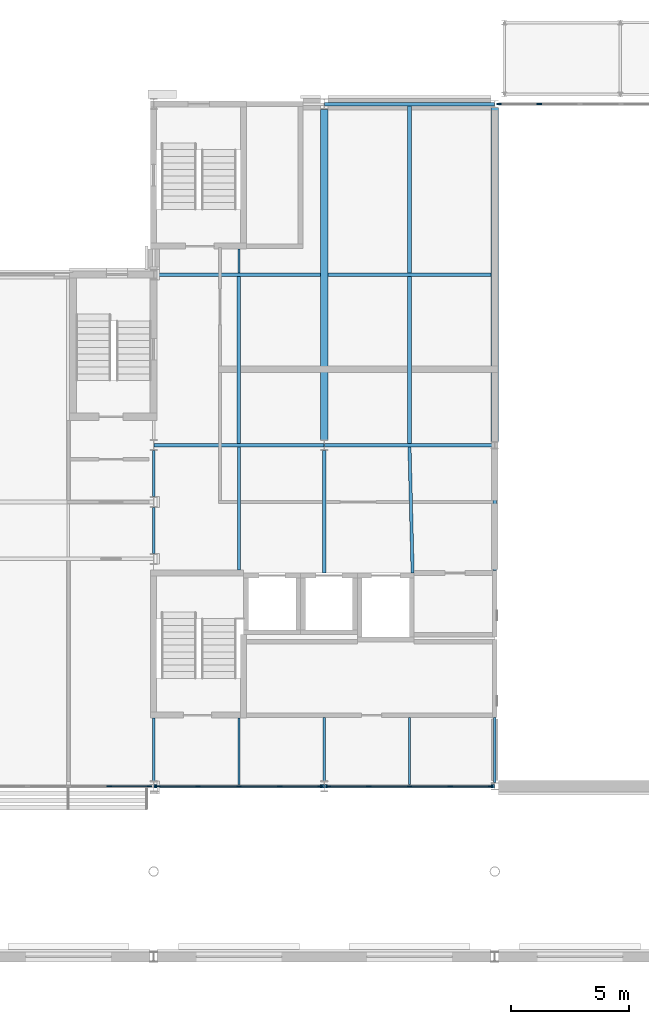
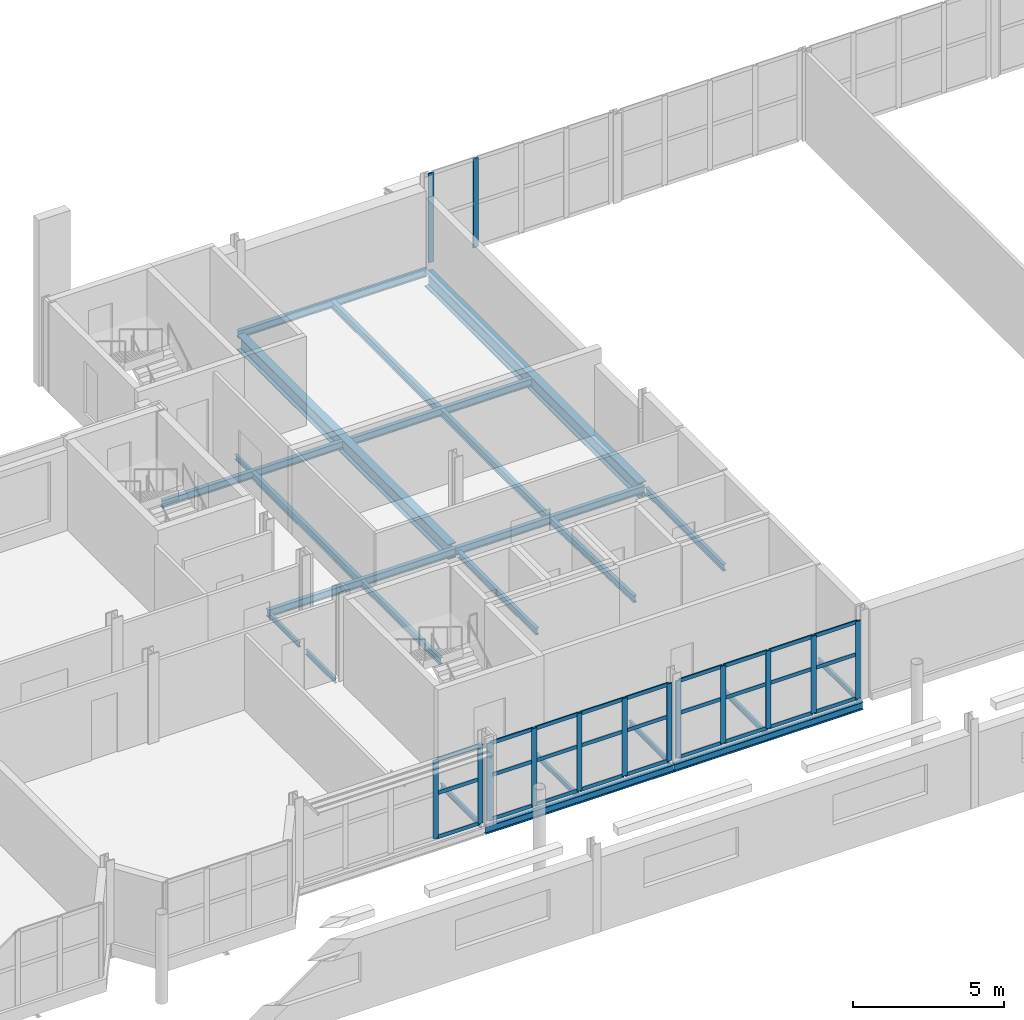
# One storey, part 49 of 124: 41 members, 24 beams, 4 elements without a shape of their own.
"""IFC4 building model written with IfcOpenShell, lengths in metres."""

from ifc_helpers import new_model, si_unit, direction, frame, origin, origin_2d, place, context, subcontext, project, spatial, rectangle, i_section, extrude, material, material_profile, profile_set, type_object, element, aggregate, save


model = new_model("IFC4")

# Units and contexts
model_context = context("Model", 3, precision=1e-05, world=origin(), true_north=direction((0.0, 1.0)))
body_context = subcontext(model_context, "Body", "Model", "MODEL_VIEW")
ifc_project = project(units=[si_unit("LENGTHUNIT", "METRE"), si_unit("AREAUNIT", "SQUARE_METRE"), si_unit("VOLUMEUNIT", "CUBIC_METRE"), si_unit("PLANEANGLEUNIT", "RADIAN"), si_unit("MASSUNIT", "GRAM", prefix="KILO")], contexts=[model_context])

# Site, building, storey
site_placement = place(None, origin())
site = spatial("IfcSite", under=ifc_project, at=site_placement, CompositionType="ELEMENT")
building_placement = place(site_placement, origin())
building = spatial("IfcBuilding", under=site, at=building_placement, Name="Kupolbacken Congress Centre", CompositionType="ELEMENT")
storey_placement = place(building_placement, frame((0.0, 0.0, 10.800048828125)))
storey = spatial("IfcBuildingStorey", under=building, at=storey_placement, Name="L03", CompositionType="ELEMENT", Elevation=10.800048828125)

# Beams
ifc_material_1 = material(Name="Steel S355", Category="steel")
ifc_material_profile_1 = material_profile(ifc_material_1, i_section(OverallWidth=0.10009765625, OverallDepth=0.199951171875, WebThickness=0.005615234375, FlangeThickness=0.008544921875, FilletRadius=0.011962890625, at=origin_2d()), Name="IPE 200")
ifc_profile_set_1 = profile_set([ifc_material_profile_1], Name="Steel S355")
beam_type_1 = type_object("IfcBeamType", Name="B01 beam IPE 200", PredefinedType="BEAM", material=ifc_profile_set_1)
beam_1_placement = place(storey_placement, frame((136.800048828125, 122.625, -0.280029296875), z_axis=(0.0, 1.0, 0.0), x_axis=(-1.0, 0.0, 0.0)))
element("IfcBeam", 1, at=beam_1_placement, inside=storey, type_object=beam_type_1, Name="S/floor/T/L03/S076", PredefinedType="BEAM", context=body_context, shape_type="SweptSolid", body=[
    extrude(i_section(OverallWidth=0.10009765625, OverallDepth=0.199951171875, WebThickness=0.005615234375, FlangeThickness=0.008544921875, FilletRadius=0.011962890625, at=origin_2d()), origin(), (0.0, 0.0, 1.0), 2.64990234375),
])
for number, where, z_axis, x_axis, name in (
    (2, (136.800048828125, 132.22509765625, -0.280029296875), (0.0, 1.0, 0.0), (-1.0, 0.0, 0.0), "S/floor/T/L03/S077"),
    (3, (136.800048828125, 134.625, -0.280029296875), (0.0, 1.0, 0.0), (-1.0, 0.0, 0.0), "S/floor/T/L03/S078"),
):
    element("IfcBeam", number, at=place(storey_placement, frame(where, z_axis=z_axis, x_axis=x_axis)), inside=storey, type_object=beam_type_1, Name=name, PredefinedType="BEAM", context=body_context, shape_type="SweptSolid", body=[
        extrude(i_section(OverallWidth=0.10009765625, OverallDepth=0.199951171875, WebThickness=0.005615234375, FlangeThickness=0.008544921875, FilletRadius=0.011962890625, at=origin_2d()), origin(), (0.0, 0.0, 1.0), 1.949951171875),
    ])
beam_2_placement = place(storey_placement, frame((144.0, 122.625, -0.280029296875), z_axis=(0.0, 1.0, 0.0), x_axis=(-1.0, 0.0, 0.0)))
element("IfcBeam", 4, at=beam_2_placement, inside=storey, type_object=beam_type_1, Name="S/floor/BF/L03/G002", PredefinedType="BEAM", context=body_context, shape_type="SweptSolid", body=[
    extrude(i_section(OverallWidth=0.10009765625, OverallDepth=0.199951171875, WebThickness=0.005615234375, FlangeThickness=0.008544921875, FilletRadius=0.011962890625, at=origin_2d()), origin(), (0.0, 0.0, 1.0), 2.675048828125),
])
beam_3_placement = place(storey_placement, frame((151.199951171875, 122.550048828125, -0.280029296875), z_axis=(0.0, 1.0, 0.0), x_axis=(-1.0, 0.0, 0.0)))
element("IfcBeam", 5, at=beam_3_placement, inside=storey, type_object=beam_type_1, Name="S/floor/BF/L03/G005", PredefinedType="BEAM", context=body_context, shape_type="SweptSolid", body=[
    extrude(i_section(OverallWidth=0.10009765625, OverallDepth=0.199951171875, WebThickness=0.005615234375, FlangeThickness=0.008544921875, FilletRadius=0.011962890625, at=origin_2d()), origin(), (0.0, 0.0, 1.0), 2.75),
])
beam_4_placement = place(storey_placement, frame((140.39990234375, 122.47509765625, -0.280029296875), z_axis=(0.0, 1.0, 0.0), x_axis=(-1.0, 0.0, 0.0)))
element("IfcBeam", 6, at=beam_4_placement, inside=storey, type_object=beam_type_1, Name="S/floor/BF/L03/S016", PredefinedType="BEAM", context=body_context, shape_type="SweptSolid", body=[
    extrude(i_section(OverallWidth=0.10009765625, OverallDepth=0.199951171875, WebThickness=0.005615234375, FlangeThickness=0.008544921875, FilletRadius=0.011962890625, at=origin_2d()), origin(), (0.0, 0.0, 1.0), 2.7998046875),
])
beam_5_placement = place(storey_placement, frame((140.39990234375, 144.074951171875, -0.280029296875), z_axis=(0.0, 1.0, 0.0), x_axis=(-1.0, 0.0, 0.0)))
element("IfcBeam", 7, at=beam_5_placement, inside=storey, type_object=beam_type_1, Name="S/floor/BF/L03/S019", PredefinedType="BEAM", context=body_context, shape_type="SweptSolid", body=[
    extrude(i_section(OverallWidth=0.10009765625, OverallDepth=0.199951171875, WebThickness=0.005615234375, FlangeThickness=0.008544921875, FilletRadius=0.011962890625, at=origin_2d()), origin(), (0.0, 0.0, 1.0), 1.0),
])
beam_6_placement = place(storey_placement, frame((147.60009765625, 122.47509765625, -0.280029296875), z_axis=(0.0, 1.0, 0.0), x_axis=(-1.0, 0.0, 0.0)))
element("IfcBeam", 8, at=beam_6_placement, inside=storey, type_object=beam_type_1, Name="S/floor/BF/L03/S020", PredefinedType="BEAM", context=body_context, shape_type="SweptSolid", body=[
    extrude(i_section(OverallWidth=0.10009765625, OverallDepth=0.199951171875, WebThickness=0.005615234375, FlangeThickness=0.008544921875, FilletRadius=0.011962890625, at=origin_2d()), origin(), (0.0, 0.0, 1.0), 2.824951171875),
])
ifc_material_2 = material(Name="Steel S355", Category="steel")
ifc_material_profile_2 = material_profile(ifc_material_2, i_section(OverallWidth=0.135009765625, OverallDepth=0.27001953125, WebThickness=0.006591796875, FlangeThickness=0.01025390625, FilletRadius=0.014892578125, at=origin_2d()), Name="IPE 270")
ifc_profile_set_2 = profile_set([ifc_material_profile_2], Name="Steel S355")
beam_type_2 = type_object("IfcBeamType", Name="B03 beam IPE 270", PredefinedType="BEAM", material=ifc_profile_set_2)
beam_7_placement = place(storey_placement, frame((144.0, 131.39990234375, -0.31494140625), z_axis=(0.0, 1.0, 0.0), x_axis=(-1.0, 0.0, 0.0)))
element("IfcBeam", 9, at=beam_7_placement, inside=storey, type_object=beam_type_2, Name="S/floor/BF/L03/G003", PredefinedType="BEAM", context=body_context, shape_type="SweptSolid", body=[
    extrude(i_section(OverallWidth=0.135009765625, OverallDepth=0.27001953125, WebThickness=0.006591796875, FlangeThickness=0.01025390625, FilletRadius=0.014892578125, at=origin_2d()), origin(), (0.0, 0.0, 1.0), 5.175048828125),
])
beam_8_placement = place(storey_placement, frame((151.199951171875, 131.5, -0.31494140625), z_axis=(0.0, 1.0, 0.0), x_axis=(-1.0, 0.0, 0.0)))
element("IfcBeam", 10, at=beam_8_placement, inside=storey, type_object=beam_type_2, Name="S/floor/BF/L03/G006", PredefinedType="BEAM", context=body_context, shape_type="SweptSolid", body=[
    extrude(i_section(OverallWidth=0.135009765625, OverallDepth=0.27001953125, WebThickness=0.006591796875, FlangeThickness=0.01025390625, FilletRadius=0.014892578125, at=origin_2d()), origin(), (0.0, 0.0, 1.0), 5.14990234375),
])
beam_9_placement = place(storey_placement, frame((140.39990234375, 131.52490234375, -0.31494140625), z_axis=(0.0, 1.0, 0.0), x_axis=(-1.0, 0.0, 0.0)))
element("IfcBeam", 11, at=beam_9_placement, inside=storey, type_object=beam_type_2, Name="S/floor/BF/L03/S017", PredefinedType="BEAM", context=body_context, shape_type="SweptSolid", body=[
    extrude(i_section(OverallWidth=0.135009765625, OverallDepth=0.27001953125, WebThickness=0.006591796875, FlangeThickness=0.01025390625, FilletRadius=0.014892578125, at=origin_2d()), origin(), (0.0, 0.0, 1.0), 5.2001953125),
])
beam_10_placement = place(storey_placement, frame((147.732666015625, 131.39990234375, -0.31494140625), z_axis=(-0.02488684298, 0.999690274558, 0.0), x_axis=(-0.999690274558, -0.02488684298, 0.0)))
element("IfcBeam", 12, at=beam_10_placement, inside=storey, type_object=beam_type_2, Name="S/floor/BF/L03/S021", PredefinedType="BEAM", context=body_context, shape_type="SweptSolid", body=[
    extrude(i_section(OverallWidth=0.135009765625, OverallDepth=0.27001953125, WebThickness=0.006591796875, FlangeThickness=0.01025390625, FilletRadius=0.014892578125, at=origin_2d()), origin(), (0.0, 0.0, 1.0), 5.326904296875),
])
ifc_material_3 = material(Name="Steel S355", Category="steel")
ifc_material_profile_3 = material_profile(ifc_material_3, i_section(OverallWidth=0.14990234375, OverallDepth=0.300048828125, WebThickness=0.007080078125, FlangeThickness=0.0107421875, FilletRadius=0.014892578125, at=origin_2d()), Name="IPE 300")
ifc_profile_set_3 = profile_set([ifc_material_profile_3], Name="Steel S355")
beam_type_3 = type_object("IfcBeamType", Name="B04 beam IPE 300", PredefinedType="BEAM", material=ifc_profile_set_3)
beam_11_placement = place(storey_placement, frame((136.806884765625, 122.39990234375, -0.330078125), z_axis=(1.0, 0.0, 0.0), x_axis=(0.0, 1.0, 0.0)))
element("IfcBeam", 13, at=beam_11_placement, inside=storey, type_object=beam_type_3, Name="S/floor/BF/L03/R008", PredefinedType="BEAM", context=body_context, shape_type="SweptSolid", body=[
    extrude(i_section(OverallWidth=0.14990234375, OverallDepth=0.300048828125, WebThickness=0.007080078125, FlangeThickness=0.0107421875, FilletRadius=0.014892578125, at=origin_2d()), origin(), (0.0, 0.0, 1.0), 7.18603515625),
])
beam_12_placement = place(storey_placement, frame((144.007080078125, 122.39990234375, -0.330078125), z_axis=(1.0, 0.0, 0.0), x_axis=(0.0, 1.0, 0.0)))
element("IfcBeam", 14, at=beam_12_placement, inside=storey, type_object=beam_type_3, Name="S/floor/BF/L03/R009", PredefinedType="BEAM", context=body_context, shape_type="SweptSolid", body=[
    extrude(i_section(OverallWidth=0.14990234375, OverallDepth=0.300048828125, WebThickness=0.007080078125, FlangeThickness=0.0107421875, FilletRadius=0.014892578125, at=origin_2d()), origin(), (0.0, 0.0, 1.0), 7.1875),
])
beam_13_placement = place(storey_placement, frame((136.806884765625, 136.800048828125, -0.330078125), z_axis=(1.0, 0.0, 0.0), x_axis=(0.0, 1.0, 0.0)))
element("IfcBeam", 15, at=beam_13_placement, inside=storey, type_object=beam_type_3, Name="S/floor/BF/L03/R010", PredefinedType="BEAM", context=body_context, shape_type="SweptSolid", body=[
    extrude(i_section(OverallWidth=0.14990234375, OverallDepth=0.300048828125, WebThickness=0.007080078125, FlangeThickness=0.0107421875, FilletRadius=0.014892578125, at=origin_2d()), origin(), (0.0, 0.0, 1.0), 7.18603515625),
])
beam_14_placement = place(storey_placement, frame((144.007080078125, 136.800048828125, -0.330078125), z_axis=(1.0, 0.0, 0.0), x_axis=(0.0, 1.0, 0.0)))
element("IfcBeam", 16, at=beam_14_placement, inside=storey, type_object=beam_type_3, Name="S/floor/BF/L03/R011", PredefinedType="BEAM", context=body_context, shape_type="SweptSolid", body=[
    extrude(i_section(OverallWidth=0.14990234375, OverallDepth=0.300048828125, WebThickness=0.007080078125, FlangeThickness=0.0107421875, FilletRadius=0.014892578125, at=origin_2d()), origin(), (0.0, 0.0, 1.0), 7.1875),
])
for number, where, z_axis, x_axis, name in (
    (17, (136.949951171875, 144.0, -0.330078125), (1.0, 0.0, 0.0), (0.0, 1.0, 0.0), "S/floor/BF/L03/R012"),
    (18, (144.14990234375, 144.0, -0.330078125), (1.0, 0.0, 0.0), (0.0, 1.0, 0.0), "S/floor/BF/L03/R013"),
):
    element("IfcBeam", number, at=place(storey_placement, frame(where, z_axis=z_axis, x_axis=x_axis)), inside=storey, type_object=beam_type_3, Name=name, PredefinedType="BEAM", context=body_context, shape_type="SweptSolid", body=[
        extrude(i_section(OverallWidth=0.14990234375, OverallDepth=0.300048828125, WebThickness=0.007080078125, FlangeThickness=0.0107421875, FilletRadius=0.014892578125, at=origin_2d()), origin(), (0.0, 0.0, 1.0), 6.900146484375),
    ])
beam_15_placement = place(storey_placement, frame((144.007080078125, 151.199951171875, -0.330078125), z_axis=(1.0, 0.0, 0.0), x_axis=(0.0, 1.0, 0.0)))
element("IfcBeam", 19, at=beam_15_placement, inside=storey, type_object=beam_type_3, Name="S/floor/BF/L03/R015", PredefinedType="BEAM", context=body_context, shape_type="SweptSolid", body=[
    extrude(i_section(OverallWidth=0.14990234375, OverallDepth=0.300048828125, WebThickness=0.007080078125, FlangeThickness=0.0107421875, FilletRadius=0.014892578125, at=origin_2d()), origin(), (0.0, 0.0, 1.0), 7.1875),
])
for number, where, z_axis, x_axis, name in (
    (20, (140.39990234375, 136.875, -0.330078125), (0.0, 1.0, 0.0), (-1.0, 0.0, 0.0), "S/floor/BF/L03/S018"),
    (21, (147.60009765625, 136.875, -0.330078125), (0.0, 1.0, 0.0), (-1.0, 0.0, 0.0), "S/floor/BF/L03/S022"),
    (22, (147.60009765625, 144.074951171875, -0.330078125), (0.0, 1.0, 0.0), (-1.0, 0.0, 0.0), "S/floor/BF/L03/S023"),
):
    element("IfcBeam", number, at=place(storey_placement, frame(where, z_axis=z_axis, x_axis=x_axis)), inside=storey, type_object=beam_type_3, Name=name, PredefinedType="BEAM", context=body_context, shape_type="SweptSolid", body=[
        extrude(i_section(OverallWidth=0.14990234375, OverallDepth=0.300048828125, WebThickness=0.007080078125, FlangeThickness=0.0107421875, FilletRadius=0.014892578125, at=origin_2d()), origin(), (0.0, 0.0, 1.0), 7.050048828125),
    ])
ifc_material_4 = material(Name="Steel S355", Category="steel")
ifc_material_profile_4 = material_profile(ifc_material_4, i_section(OverallWidth=0.300048828125, OverallDepth=0.60009765625, WebThickness=0.015380859375, FlangeThickness=0.030029296875, FilletRadius=0.027099609375, at=origin_2d()), Name="HEB 600")
ifc_profile_set_4 = profile_set([ifc_material_profile_4], Name="Steel S355")
beam_type_4 = type_object("IfcBeamType", Name="B15 beam HEB 600", PredefinedType="BEAM", material=ifc_profile_set_4)
beam_16_placement = place(storey_placement, frame((144.0, 137.02490234375, -0.47998046875), z_axis=(0.0, 1.0, 0.0), x_axis=(-1.0, 0.0, 0.0)))
element("IfcBeam", 23, at=beam_16_placement, inside=storey, type_object=beam_type_4, Name="S/floor/BF/L03/G004", PredefinedType="BEAM", context=body_context, shape_type="SweptSolid", body=[
    extrude(i_section(OverallWidth=0.300048828125, OverallDepth=0.60009765625, WebThickness=0.015380859375, FlangeThickness=0.030029296875, FilletRadius=0.027099609375, at=origin_2d()), origin(), (0.0, 0.0, 1.0), 13.9501953125),
])
beam_17_placement = place(storey_placement, frame((151.199951171875, 136.949951171875, -0.47998046875), z_axis=(0.0, 1.0, 0.0), x_axis=(-1.0, 0.0, 0.0)))
element("IfcBeam", 24, at=beam_17_placement, inside=storey, type_object=beam_type_4, Name="S/floor/BF/L03/G007", PredefinedType="BEAM", context=body_context, shape_type="SweptSolid", body=[
    extrude(i_section(OverallWidth=0.300048828125, OverallDepth=0.60009765625, WebThickness=0.015380859375, FlangeThickness=0.030029296875, FilletRadius=0.027099609375, at=origin_2d()), origin(), (0.0, 0.0, 1.0), 14.10009765625),
])

# Curtain wall, members
ifc_material_5 = material(Name="Aluminium mullion-transom frame with glass", Category="aluminium")
curtain_wall_type = type_object("IfcCurtainWallType", Name="CW1 curtain wall 7200x3600", PredefinedType="NOTDEFINED", material=ifc_material_5)
curtain_wall_1_placement = place(storey_placement, origin())
curtain_wall_1 = element("IfcCurtainWall", 25, at=curtain_wall_1_placement, inside=storey, type_object=curtain_wall_type, Name="E/B/N/L03/307", PredefinedType="NOTDEFINED")
ifc_material_6 = material(Name="Aluminium alloy", Category="aluminium")
ifc_material_profile_5 = material_profile(ifc_material_6, rectangle(XDim=0.050048828125, YDim=0.199951171875, at=origin_2d()), Name="50 x 200")
ifc_profile_set_5 = profile_set([ifc_material_profile_5], Name="Aluminium alloy")
member_type_1 = type_object("IfcMemberType", Name="MU2 mullion 50x200", PredefinedType="MULLION", material=ifc_profile_set_5)
member_1_placement = place(storey_placement, frame((153.074951171875, 151.199951171875, 0.0), z_axis=(0.0, 0.0, 1.0), x_axis=(0.0, -1.0, 0.0)))
member_1 = element("IfcMember", 26, at=member_1_placement, type_object=member_type_1, Name="CW1 mullion 4", PredefinedType="MULLION", context=body_context, shape_type="SweptSolid", body=[
    extrude(rectangle(XDim=0.050048828125, YDim=0.199951171875, at=origin_2d()), origin(), (0.0, 0.0, 1.0), 3.599853515625),
])
member_2_placement = place(storey_placement, frame((151.375, 151.199951171875, 0.0), z_axis=(0.0, 0.0, 1.0), x_axis=(0.0, -1.0, 0.0)))
member_2 = element("IfcMember", 27, at=member_2_placement, type_object=member_type_1, Name="CW1 mullion 5", PredefinedType="MULLION", context=body_context, shape_type="SweptSolid", body=[
    extrude(rectangle(XDim=0.050048828125, YDim=0.199951171875, at=origin_2d()), origin(), (0.0, 0.0, 1.0), 3.599853515625),
])
aggregate(curtain_wall_1, [member_1, member_2])

curtain_wall_2_placement = place(storey_placement, origin())
curtain_wall_2 = element("IfcCurtainWall", 28, at=curtain_wall_2_placement, inside=storey, type_object=curtain_wall_type, Name="E/BF/S/L03/319", PredefinedType="NOTDEFINED")
member_3_placement = place(storey_placement, frame((136.97509765625, 122.39990234375, 0.0), z_axis=(0.0, 0.0, 1.0), x_axis=(0.0, 1.0, 0.0)))
member_3 = element("IfcMember", 29, at=member_3_placement, type_object=member_type_1, Name="CW1 mullion 1", PredefinedType="MULLION", context=body_context, shape_type="SweptSolid", body=[
    extrude(rectangle(XDim=0.050048828125, YDim=0.199951171875, at=origin_2d()), origin(), (0.0, 0.0, 1.0), 3.119873046875),
])
member_4_placement = place(storey_placement, frame((138.675048828125, 122.39990234375, 0.0), z_axis=(0.0, 0.0, 1.0), x_axis=(0.0, 1.0, 0.0)))
member_4 = element("IfcMember", 30, at=member_4_placement, type_object=member_type_1, Name="CW1 mullion 2", PredefinedType="MULLION", context=body_context, shape_type="SweptSolid", body=[
    extrude(rectangle(XDim=0.050048828125, YDim=0.199951171875, at=origin_2d()), origin(), (0.0, 0.0, 1.0), 3.119873046875),
])
member_5_placement = place(storey_placement, frame((140.39990234375, 122.39990234375, 0.0), z_axis=(0.0, 0.0, 1.0), x_axis=(0.0, 1.0, 0.0)))
member_5 = element("IfcMember", 31, at=member_5_placement, type_object=member_type_1, Name="CW1 mullion 3", PredefinedType="MULLION", context=body_context, shape_type="SweptSolid", body=[
    extrude(rectangle(XDim=0.050048828125, YDim=0.199951171875, at=origin_2d()), origin(), (0.0, 0.0, 1.0), 3.119873046875),
])
member_6_placement = place(storey_placement, frame((142.125, 122.39990234375, 0.0), z_axis=(0.0, 0.0, 1.0), x_axis=(0.0, 1.0, 0.0)))
member_6 = element("IfcMember", 32, at=member_6_placement, type_object=member_type_1, Name="CW1 mullion 4", PredefinedType="MULLION", context=body_context, shape_type="SweptSolid", body=[
    extrude(rectangle(XDim=0.050048828125, YDim=0.199951171875, at=origin_2d()), origin(), (0.0, 0.0, 1.0), 3.119873046875),
])
member_7_placement = place(storey_placement, frame((143.824951171875, 122.39990234375, 0.0), z_axis=(0.0, 0.0, 1.0), x_axis=(0.0, 1.0, 0.0)))
member_7 = element("IfcMember", 33, at=member_7_placement, type_object=member_type_1, Name="CW1 mullion 5", PredefinedType="MULLION", context=body_context, shape_type="SweptSolid", body=[
    extrude(rectangle(XDim=0.050048828125, YDim=0.199951171875, at=origin_2d()), origin(), (0.0, 0.0, 1.0), 3.119873046875),
])

curtain_wall_3_placement = place(storey_placement, origin())
curtain_wall_3 = element("IfcCurtainWall", 34, at=curtain_wall_3_placement, inside=storey, type_object=curtain_wall_type, Name="E/BF/S/L03/320", PredefinedType="NOTDEFINED")
member_8_placement = place(storey_placement, frame((144.175048828125, 122.39990234375, 0.0), z_axis=(0.0, 0.0, 1.0), x_axis=(0.0, 1.0, 0.0)))
member_8 = element("IfcMember", 35, at=member_8_placement, type_object=member_type_1, Name="CW1 mullion 1", PredefinedType="MULLION", context=body_context, shape_type="SweptSolid", body=[
    extrude(rectangle(XDim=0.050048828125, YDim=0.199951171875, at=origin_2d()), origin(), (0.0, 0.0, 1.0), 3.119873046875),
])
member_9_placement = place(storey_placement, frame((145.875, 122.39990234375, 0.0), z_axis=(0.0, 0.0, 1.0), x_axis=(0.0, 1.0, 0.0)))
member_9 = element("IfcMember", 36, at=member_9_placement, type_object=member_type_1, Name="CW1 mullion 2", PredefinedType="MULLION", context=body_context, shape_type="SweptSolid", body=[
    extrude(rectangle(XDim=0.050048828125, YDim=0.199951171875, at=origin_2d()), origin(), (0.0, 0.0, 1.0), 3.119873046875),
])
member_10_placement = place(storey_placement, frame((147.60009765625, 122.39990234375, 0.0), z_axis=(0.0, 0.0, 1.0), x_axis=(0.0, 1.0, 0.0)))
member_10 = element("IfcMember", 37, at=member_10_placement, type_object=member_type_1, Name="CW1 mullion 3", PredefinedType="MULLION", context=body_context, shape_type="SweptSolid", body=[
    extrude(rectangle(XDim=0.050048828125, YDim=0.199951171875, at=origin_2d()), origin(), (0.0, 0.0, 1.0), 3.119873046875),
])
member_11_placement = place(storey_placement, frame((149.324951171875, 122.39990234375, 0.0), z_axis=(0.0, 0.0, 1.0), x_axis=(0.0, 1.0, 0.0)))
member_11 = element("IfcMember", 38, at=member_11_placement, type_object=member_type_1, Name="CW1 mullion 4", PredefinedType="MULLION", context=body_context, shape_type="SweptSolid", body=[
    extrude(rectangle(XDim=0.050048828125, YDim=0.199951171875, at=origin_2d()), origin(), (0.0, 0.0, 1.0), 3.119873046875),
])
member_12_placement = place(storey_placement, frame((151.02490234375, 122.39990234375, 0.0), z_axis=(0.0, 0.0, 1.0), x_axis=(0.0, 1.0, 0.0)))
member_12 = element("IfcMember", 39, at=member_12_placement, type_object=member_type_1, Name="CW1 mullion 5", PredefinedType="MULLION", context=body_context, shape_type="SweptSolid", body=[
    extrude(rectangle(XDim=0.050048828125, YDim=0.199951171875, at=origin_2d()), origin(), (0.0, 0.0, 1.0), 3.119873046875),
])

curtain_wall_4_placement = place(storey_placement, origin())
curtain_wall_4 = element("IfcCurtainWall", 40, at=curtain_wall_4_placement, inside=storey, type_object=curtain_wall_type, Name="E/T/S/L03/043/g0", PredefinedType="NOTDEFINED")
member_13_placement = place(storey_placement, frame((134.92578125, 122.39990234375, 0.0), z_axis=(0.0, 0.0, 1.0), x_axis=(0.0, 1.0, 0.0)))
member_13 = element("IfcMember", 41, at=member_13_placement, type_object=member_type_1, Name="CW1 mullion 4", PredefinedType="MULLION", context=body_context, shape_type="SweptSolid", body=[
    extrude(rectangle(XDim=0.050048828125, YDim=0.199951171875, at=origin_2d()), origin(), (0.0, 0.0, 1.0), 3.159912109375),
])
member_14_placement = place(storey_placement, frame((136.625, 122.39990234375, 0.0), z_axis=(0.0, 0.0, 1.0), x_axis=(0.0, 1.0, 0.0)))
member_14 = element("IfcMember", 42, at=member_14_placement, type_object=member_type_1, Name="CW1 mullion 5", PredefinedType="MULLION", context=body_context, shape_type="SweptSolid", body=[
    extrude(rectangle(XDim=0.050048828125, YDim=0.199951171875, at=origin_2d()), origin(), (0.0, 0.0, 1.0), 3.159912109375),
])

# Member
ifc_material_7 = material(Name="Aluminium alloy", Category="aluminium")
ifc_material_profile_6 = material_profile(ifc_material_7, rectangle(XDim=0.050048828125, YDim=0.14990234375, at=origin_2d()), Name="50 x 150")
ifc_profile_set_6 = profile_set([ifc_material_profile_6], Name="Aluminium alloy")
member_type_2 = type_object("IfcMemberType", Name="TR2 transom 50x150", PredefinedType="MULLION", material=ifc_profile_set_6)
member_15_placement = place(storey_placement, frame((137.0, 122.39990234375, 0.02490234375), z_axis=(1.0, 0.0, 0.0), x_axis=(0.0, 1.0, 0.0)))
member_15 = element("IfcMember", 43, at=member_15_placement, type_object=member_type_2, Name="CW1 transom 1.1", PredefinedType="MULLION", context=body_context, shape_type="SweptSolid", body=[
    extrude(rectangle(XDim=0.050048828125, YDim=0.14990234375, at=origin_2d()), origin(), (0.0, 0.0, 1.0), 1.64990234375),
])

member_16_placement = place(storey_placement, frame((137.0, 122.39990234375, 1.800048828125), z_axis=(1.0, 0.0, 0.0), x_axis=(0.0, 1.0, 0.0)))
member_16 = element("IfcMember", 44, at=member_16_placement, type_object=member_type_2, Name="CW1 transom 1.2", PredefinedType="MULLION", context=body_context, shape_type="SweptSolid", body=[
    extrude(rectangle(XDim=0.050048828125, YDim=0.14990234375, at=origin_2d()), origin(), (0.0, 0.0, 1.0), 1.64990234375),
])

member_17_placement = place(storey_placement, frame((137.0, 122.39990234375, 3.094970703125), z_axis=(1.0, 0.0, 0.0), x_axis=(0.0, 1.0, 0.0)))
member_17 = element("IfcMember", 45, at=member_17_placement, type_object=member_type_2, Name="CW1 transom 1.3", PredefinedType="MULLION", context=body_context, shape_type="SweptSolid", body=[
    extrude(rectangle(XDim=0.050048828125, YDim=0.14990234375, at=origin_2d()), origin(), (0.0, 0.0, 1.0), 1.64990234375),
])

member_18_placement = place(storey_placement, frame((138.699951171875, 122.39990234375, 0.02490234375), z_axis=(1.0, 0.0, 0.0), x_axis=(0.0, 1.0, 0.0)))
member_18 = element("IfcMember", 46, at=member_18_placement, type_object=member_type_2, Name="CW1 transom 2.1", PredefinedType="MULLION", context=body_context, shape_type="SweptSolid", body=[
    extrude(rectangle(XDim=0.050048828125, YDim=0.14990234375, at=origin_2d()), origin(), (0.0, 0.0, 1.0), 1.675048828125),
])

member_19_placement = place(storey_placement, frame((138.699951171875, 122.39990234375, 1.800048828125), z_axis=(1.0, 0.0, 0.0), x_axis=(0.0, 1.0, 0.0)))
member_19 = element("IfcMember", 47, at=member_19_placement, type_object=member_type_2, Name="CW1 transom 2.2", PredefinedType="MULLION", context=body_context, shape_type="SweptSolid", body=[
    extrude(rectangle(XDim=0.050048828125, YDim=0.14990234375, at=origin_2d()), origin(), (0.0, 0.0, 1.0), 1.675048828125),
])

member_20_placement = place(storey_placement, frame((138.699951171875, 122.39990234375, 3.094970703125), z_axis=(1.0, 0.0, 0.0), x_axis=(0.0, 1.0, 0.0)))
member_20 = element("IfcMember", 48, at=member_20_placement, type_object=member_type_2, Name="CW1 transom 2.3", PredefinedType="MULLION", context=body_context, shape_type="SweptSolid", body=[
    extrude(rectangle(XDim=0.050048828125, YDim=0.14990234375, at=origin_2d()), origin(), (0.0, 0.0, 1.0), 1.675048828125),
])

member_21_placement = place(storey_placement, frame((140.425048828125, 122.39990234375, 0.02490234375), z_axis=(1.0, 0.0, 0.0), x_axis=(0.0, 1.0, 0.0)))
member_21 = element("IfcMember", 49, at=member_21_placement, type_object=member_type_2, Name="CW1 transom 3.1", PredefinedType="MULLION", context=body_context, shape_type="SweptSolid", body=[
    extrude(rectangle(XDim=0.050048828125, YDim=0.14990234375, at=origin_2d()), origin(), (0.0, 0.0, 1.0), 1.675048828125),
])

member_22_placement = place(storey_placement, frame((140.425048828125, 122.39990234375, 1.800048828125), z_axis=(1.0, 0.0, 0.0), x_axis=(0.0, 1.0, 0.0)))
member_22 = element("IfcMember", 50, at=member_22_placement, type_object=member_type_2, Name="CW1 transom 3.2", PredefinedType="MULLION", context=body_context, shape_type="SweptSolid", body=[
    extrude(rectangle(XDim=0.050048828125, YDim=0.14990234375, at=origin_2d()), origin(), (0.0, 0.0, 1.0), 1.675048828125),
])

member_23_placement = place(storey_placement, frame((140.425048828125, 122.39990234375, 3.094970703125), z_axis=(1.0, 0.0, 0.0), x_axis=(0.0, 1.0, 0.0)))
member_23 = element("IfcMember", 51, at=member_23_placement, type_object=member_type_2, Name="CW1 transom 3.3", PredefinedType="MULLION", context=body_context, shape_type="SweptSolid", body=[
    extrude(rectangle(XDim=0.050048828125, YDim=0.14990234375, at=origin_2d()), origin(), (0.0, 0.0, 1.0), 1.675048828125),
])

member_24_placement = place(storey_placement, frame((142.14990234375, 122.39990234375, 0.02490234375), z_axis=(1.0, 0.0, 0.0), x_axis=(0.0, 1.0, 0.0)))
member_24 = element("IfcMember", 52, at=member_24_placement, type_object=member_type_2, Name="CW1 transom 4.1", PredefinedType="MULLION", context=body_context, shape_type="SweptSolid", body=[
    extrude(rectangle(XDim=0.050048828125, YDim=0.14990234375, at=origin_2d()), origin(), (0.0, 0.0, 1.0), 1.650146484375),
])

member_25_placement = place(storey_placement, frame((142.14990234375, 122.39990234375, 1.800048828125), z_axis=(1.0, 0.0, 0.0), x_axis=(0.0, 1.0, 0.0)))
member_25 = element("IfcMember", 53, at=member_25_placement, type_object=member_type_2, Name="CW1 transom 4.2", PredefinedType="MULLION", context=body_context, shape_type="SweptSolid", body=[
    extrude(rectangle(XDim=0.050048828125, YDim=0.14990234375, at=origin_2d()), origin(), (0.0, 0.0, 1.0), 1.650146484375),
])

member_26_placement = place(storey_placement, frame((142.14990234375, 122.39990234375, 3.094970703125), z_axis=(1.0, 0.0, 0.0), x_axis=(0.0, 1.0, 0.0)))
member_26 = element("IfcMember", 54, at=member_26_placement, type_object=member_type_2, Name="CW1 transom 4.3", PredefinedType="MULLION", context=body_context, shape_type="SweptSolid", body=[
    extrude(rectangle(XDim=0.050048828125, YDim=0.14990234375, at=origin_2d()), origin(), (0.0, 0.0, 1.0), 1.650146484375),
])

aggregate(curtain_wall_2, [member_3, member_4, member_5, member_6, member_7, member_15, member_16, member_17, member_18, member_19, member_20, member_21, member_22, member_23, member_24, member_25, member_26])

member_27_placement = place(storey_placement, frame((144.199951171875, 122.39990234375, 0.02490234375), z_axis=(1.0, 0.0, 0.0), x_axis=(0.0, 1.0, 0.0)))
member_27 = element("IfcMember", 55, at=member_27_placement, type_object=member_type_2, Name="CW1 transom 1.1", PredefinedType="MULLION", context=body_context, shape_type="SweptSolid", body=[
    extrude(rectangle(XDim=0.050048828125, YDim=0.14990234375, at=origin_2d()), origin(), (0.0, 0.0, 1.0), 1.650146484375),
])

member_28_placement = place(storey_placement, frame((144.199951171875, 122.39990234375, 1.800048828125), z_axis=(1.0, 0.0, 0.0), x_axis=(0.0, 1.0, 0.0)))
member_28 = element("IfcMember", 56, at=member_28_placement, type_object=member_type_2, Name="CW1 transom 1.2", PredefinedType="MULLION", context=body_context, shape_type="SweptSolid", body=[
    extrude(rectangle(XDim=0.050048828125, YDim=0.14990234375, at=origin_2d()), origin(), (0.0, 0.0, 1.0), 1.650146484375),
])

member_29_placement = place(storey_placement, frame((144.199951171875, 122.39990234375, 3.094970703125), z_axis=(1.0, 0.0, 0.0), x_axis=(0.0, 1.0, 0.0)))
member_29 = element("IfcMember", 57, at=member_29_placement, type_object=member_type_2, Name="CW1 transom 1.3", PredefinedType="MULLION", context=body_context, shape_type="SweptSolid", body=[
    extrude(rectangle(XDim=0.050048828125, YDim=0.14990234375, at=origin_2d()), origin(), (0.0, 0.0, 1.0), 1.650146484375),
])

member_30_placement = place(storey_placement, frame((145.89990234375, 122.39990234375, 0.02490234375), z_axis=(1.0, 0.0, 0.0), x_axis=(0.0, 1.0, 0.0)))
member_30 = element("IfcMember", 58, at=member_30_placement, type_object=member_type_2, Name="CW1 transom 2.1", PredefinedType="MULLION", context=body_context, shape_type="SweptSolid", body=[
    extrude(rectangle(XDim=0.050048828125, YDim=0.14990234375, at=origin_2d()), origin(), (0.0, 0.0, 1.0), 1.675048828125),
])

member_31_placement = place(storey_placement, frame((145.89990234375, 122.39990234375, 1.800048828125), z_axis=(1.0, 0.0, 0.0), x_axis=(0.0, 1.0, 0.0)))
member_31 = element("IfcMember", 59, at=member_31_placement, type_object=member_type_2, Name="CW1 transom 2.2", PredefinedType="MULLION", context=body_context, shape_type="SweptSolid", body=[
    extrude(rectangle(XDim=0.050048828125, YDim=0.14990234375, at=origin_2d()), origin(), (0.0, 0.0, 1.0), 1.675048828125),
])

member_32_placement = place(storey_placement, frame((145.89990234375, 122.39990234375, 3.094970703125), z_axis=(1.0, 0.0, 0.0), x_axis=(0.0, 1.0, 0.0)))
member_32 = element("IfcMember", 60, at=member_32_placement, type_object=member_type_2, Name="CW1 transom 2.3", PredefinedType="MULLION", context=body_context, shape_type="SweptSolid", body=[
    extrude(rectangle(XDim=0.050048828125, YDim=0.14990234375, at=origin_2d()), origin(), (0.0, 0.0, 1.0), 1.675048828125),
])

member_33_placement = place(storey_placement, frame((147.625, 122.39990234375, 0.02490234375), z_axis=(1.0, 0.0, 0.0), x_axis=(0.0, 1.0, 0.0)))
member_33 = element("IfcMember", 61, at=member_33_placement, type_object=member_type_2, Name="CW1 transom 3.1", PredefinedType="MULLION", context=body_context, shape_type="SweptSolid", body=[
    extrude(rectangle(XDim=0.050048828125, YDim=0.14990234375, at=origin_2d()), origin(), (0.0, 0.0, 1.0), 1.675048828125),
])

member_34_placement = place(storey_placement, frame((147.625, 122.39990234375, 1.800048828125), z_axis=(1.0, 0.0, 0.0), x_axis=(0.0, 1.0, 0.0)))
member_34 = element("IfcMember", 62, at=member_34_placement, type_object=member_type_2, Name="CW1 transom 3.2", PredefinedType="MULLION", context=body_context, shape_type="SweptSolid", body=[
    extrude(rectangle(XDim=0.050048828125, YDim=0.14990234375, at=origin_2d()), origin(), (0.0, 0.0, 1.0), 1.675048828125),
])

member_35_placement = place(storey_placement, frame((147.625, 122.39990234375, 3.094970703125), z_axis=(1.0, 0.0, 0.0), x_axis=(0.0, 1.0, 0.0)))
member_35 = element("IfcMember", 63, at=member_35_placement, type_object=member_type_2, Name="CW1 transom 3.3", PredefinedType="MULLION", context=body_context, shape_type="SweptSolid", body=[
    extrude(rectangle(XDim=0.050048828125, YDim=0.14990234375, at=origin_2d()), origin(), (0.0, 0.0, 1.0), 1.675048828125),
])

member_36_placement = place(storey_placement, frame((149.35009765625, 122.39990234375, 0.02490234375), z_axis=(1.0, 0.0, 0.0), x_axis=(0.0, 1.0, 0.0)))
member_36 = element("IfcMember", 64, at=member_36_placement, type_object=member_type_2, Name="CW1 transom 4.1", PredefinedType="MULLION", context=body_context, shape_type="SweptSolid", body=[
    extrude(rectangle(XDim=0.050048828125, YDim=0.14990234375, at=origin_2d()), origin(), (0.0, 0.0, 1.0), 1.64990234375),
])

member_37_placement = place(storey_placement, frame((149.35009765625, 122.39990234375, 1.800048828125), z_axis=(1.0, 0.0, 0.0), x_axis=(0.0, 1.0, 0.0)))
member_37 = element("IfcMember", 65, at=member_37_placement, type_object=member_type_2, Name="CW1 transom 4.2", PredefinedType="MULLION", context=body_context, shape_type="SweptSolid", body=[
    extrude(rectangle(XDim=0.050048828125, YDim=0.14990234375, at=origin_2d()), origin(), (0.0, 0.0, 1.0), 1.64990234375),
])

member_38_placement = place(storey_placement, frame((149.35009765625, 122.39990234375, 3.094970703125), z_axis=(1.0, 0.0, 0.0), x_axis=(0.0, 1.0, 0.0)))
member_38 = element("IfcMember", 66, at=member_38_placement, type_object=member_type_2, Name="CW1 transom 4.3", PredefinedType="MULLION", context=body_context, shape_type="SweptSolid", body=[
    extrude(rectangle(XDim=0.050048828125, YDim=0.14990234375, at=origin_2d()), origin(), (0.0, 0.0, 1.0), 1.64990234375),
])

aggregate(curtain_wall_3, [member_8, member_9, member_10, member_11, member_12, member_27, member_28, member_29, member_30, member_31, member_32, member_33, member_34, member_35, member_36, member_37, member_38])

member_39_placement = place(storey_placement, frame((134.950927734375, 122.39990234375, 0.02490234375), z_axis=(1.0, 0.0, 0.0), x_axis=(0.0, 1.0, 0.0)))
member_39 = element("IfcMember", 67, at=member_39_placement, type_object=member_type_2, Name="CW1 transom 4.1", PredefinedType="MULLION", context=body_context, shape_type="SweptSolid", body=[
    extrude(rectangle(XDim=0.050048828125, YDim=0.14990234375, at=origin_2d()), origin(), (0.0, 0.0, 1.0), 1.649169921875),
])

member_40_placement = place(storey_placement, frame((134.950927734375, 122.39990234375, 1.800048828125), z_axis=(1.0, 0.0, 0.0), x_axis=(0.0, 1.0, 0.0)))
member_40 = element("IfcMember", 68, at=member_40_placement, type_object=member_type_2, Name="CW1 transom 4.2", PredefinedType="MULLION", context=body_context, shape_type="SweptSolid", body=[
    extrude(rectangle(XDim=0.050048828125, YDim=0.14990234375, at=origin_2d()), origin(), (0.0, 0.0, 1.0), 1.649169921875),
])

member_41_placement = place(storey_placement, frame((134.950927734375, 122.39990234375, 3.135009765625), z_axis=(1.0, 0.0, 0.0), x_axis=(0.0, 1.0, 0.0)))
member_41 = element("IfcMember", 69, at=member_41_placement, type_object=member_type_2, Name="CW1 transom 4.3", PredefinedType="MULLION", context=body_context, shape_type="SweptSolid", body=[
    extrude(rectangle(XDim=0.050048828125, YDim=0.14990234375, at=origin_2d()), origin(), (0.0, 0.0, 1.0), 1.649169921875),
])

aggregate(curtain_wall_4, [member_13, member_14, member_39, member_40, member_41])

save(model, "model.ifc")
